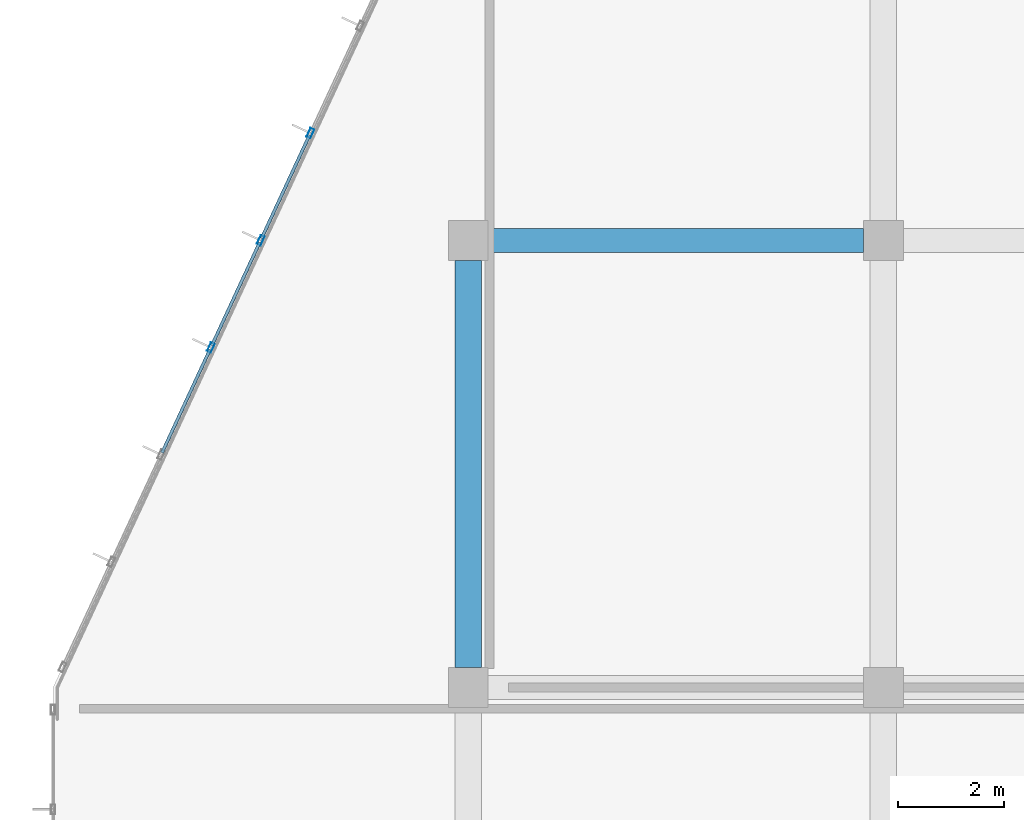
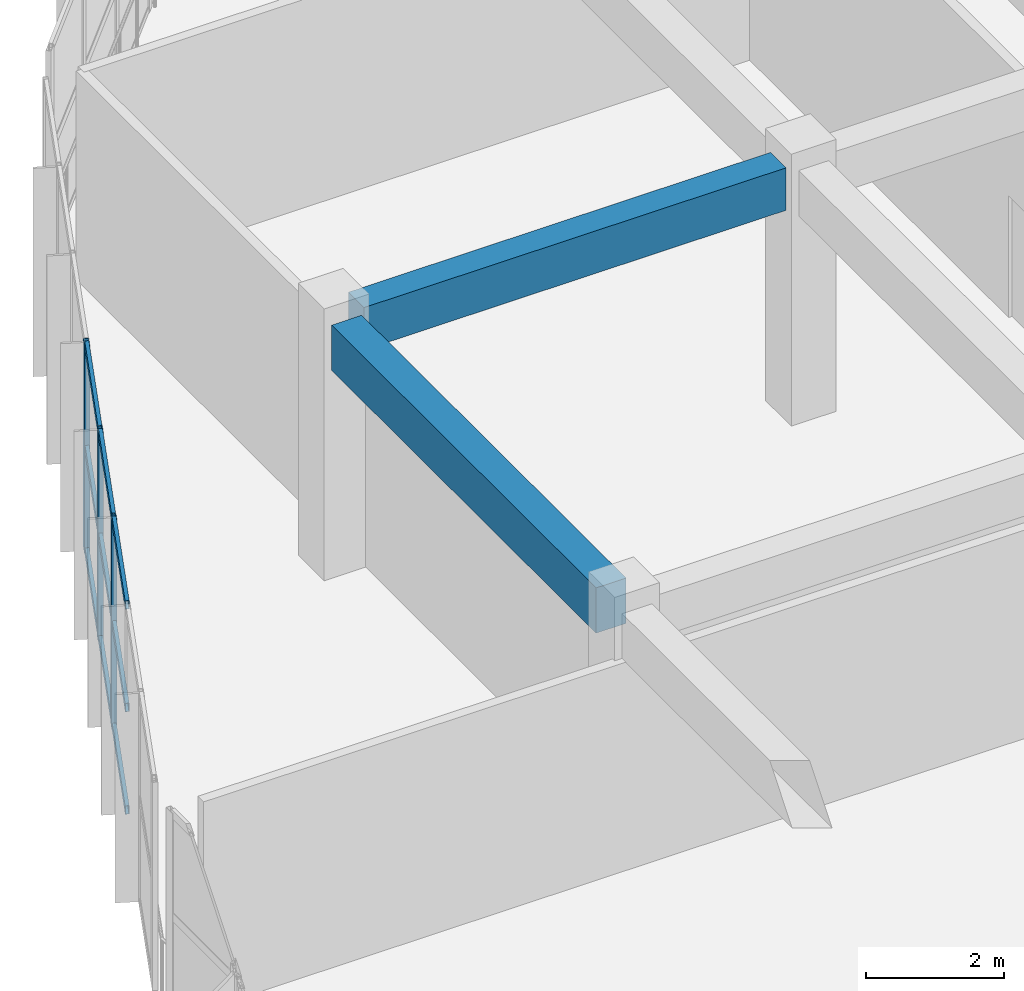
# One storey, part 25 of 175: 12 members, 2 beams, 1 element without a shape of its own.
"""IFC4 building model written with IfcOpenShell, lengths in metres."""

from ifc_helpers import new_model, si_unit, direction, frame, origin, origin_2d, place, context, subcontext, project, spatial, rectangle, hollow_rectangle, extrude, material, layer, layer_set, material_profile, profile_set, type_object, element, aggregate, save


model = new_model("IFC4")

# Units and contexts
model_context = context("Model", 3, precision=1e-05, world=origin(), true_north=direction((0.0, 1.0)))
body_context = subcontext(model_context, "Body", "Model", "MODEL_VIEW")
ifc_project = project(units=[si_unit("LENGTHUNIT", "METRE"), si_unit("AREAUNIT", "SQUARE_METRE"), si_unit("VOLUMEUNIT", "CUBIC_METRE"), si_unit("PLANEANGLEUNIT", "RADIAN"), si_unit("MASSUNIT", "GRAM", prefix="KILO")], contexts=[model_context])

# Site, building, storey
site_placement = place(None, origin())
site = spatial("IfcSite", under=ifc_project, at=site_placement, CompositionType="ELEMENT")
building_placement = place(site_placement, origin())
building = spatial("IfcBuilding", under=site, at=building_placement, Name="Zizhar Promenade General Hospital", CompositionType="ELEMENT")
storey_placement = place(building_placement, frame((0.0, 0.0, 4.800048828125)))
storey = spatial("IfcBuildingStorey", under=building, at=storey_placement, Name="L01", CompositionType="ELEMENT", Elevation=4.800048828125)

# Beams
ifc_material_1 = material(Name="Concrete C35/45", Category="concrete")
ifc_material_profile_1 = material_profile(ifc_material_1, rectangle(XDim=0.449951171875, YDim=0.75, at=origin_2d()))
ifc_profile_set_1 = profile_set([ifc_material_profile_1], Name="Concrete C35/45")
beam_type_1 = type_object("IfcBeamType", Name="BM-RC-450x750", PredefinedType="BEAM", material=ifc_profile_set_1)
beam_1_placement = place(storey_placement, frame((8.175048828125, 58.800048828125, 4.094970703125), z_axis=(1.0, 0.0, 0.0), x_axis=(0.0, 1.0, 0.0)))
element("IfcBeam", 1, at=beam_1_placement, inside=storey, type_object=beam_type_1, Name="Grid Beam X L01 (1-7)", PredefinedType="BEAM", context=body_context, shape_type="SweptSolid", body=[
    extrude(rectangle(XDim=0.449951171875, YDim=0.75, at=origin_2d()), origin(), (0.0, 0.0, 1.0), 7.050048828125),
])
ifc_material_2 = material(Name="Concrete C35/45", Category="concrete")
ifc_material_profile_2 = material_profile(ifc_material_2, rectangle(XDim=0.5, YDim=0.800048828125, at=origin_2d()))
ifc_profile_set_2 = profile_set([ifc_material_profile_2], Name="Concrete C35/45")
beam_type_2 = type_object("IfcBeamType", Name="BM-RC-500x800", PredefinedType="BEAM", material=ifc_profile_set_2)
beam_2_placement = place(storey_placement, frame((7.800048828125, 50.77490234375, 4.070068359375), z_axis=(0.0, 1.0, 0.0), x_axis=(-1.0, 0.0, 0.0)))
element("IfcBeam", 2, at=beam_2_placement, inside=storey, type_object=beam_type_2, Name="Grid Beam Y L01 (1-6)", PredefinedType="BEAM", context=body_context, shape_type="SweptSolid", body=[
    extrude(rectangle(XDim=0.5, YDim=0.800048828125, at=origin_2d()), origin(), (0.0, 0.0, 1.0), 7.650146484375),
])

# Curtain wall, members
ifc_material_3 = material(Name="Anodised aluminium 6063-T6 and low-E glass", Category="aluminium")
ifc_layer = layer(ifc_material_3, 0.159912109375)
ifc_layer_set = layer_set([ifc_layer], Name="Anodised aluminium 6063-T6 and low-E glass")
curtain_wall_type = type_object("IfcCurtainWallType", Name="CW-DT-MOD2", PredefinedType="NOTDEFINED", material=ifc_layer_set)
curtain_wall_placement = place(storey_placement, origin())
curtain_wall = element("IfcCurtainWall", 3, at=curtain_wall_placement, inside=storey, type_object=curtain_wall_type, Name="West Diagnostic Arm Glazed Curtain Wall L01-NW1", PredefinedType="NOTDEFINED")
ifc_material_4 = material(Name="Anodised aluminium 6063-T6", Category="aluminium")
ifc_material_profile_3 = material_profile(ifc_material_4, hollow_rectangle(XDim=0.080078125, YDim=0.179931640625, WallThickness=0.0048828125, at=origin_2d()))
ifc_profile_set_3 = profile_set([ifc_material_profile_3], Name="Anodised aluminium 6063-T6")
member_type_1 = type_object("IfcMemberType", Name="CWM-ALU-180x80", PredefinedType="MULLION", material=ifc_profile_set_3)
member_1_placement = place(storey_placement, frame((2.965087890625, 56.7861328125, 0.0), z_axis=(0.0, 0.0, 1.0), x_axis=(-0.907007278189, 0.421114945486, 0.0)))
member_1 = element("IfcMember", 4, at=member_1_placement, type_object=member_type_1, Name="CW-08 mullion 4", PredefinedType="MULLION", context=body_context, shape_type="SweptSolid", body=[
    extrude(hollow_rectangle(XDim=0.080078125, YDim=0.179931640625, WallThickness=0.0048828125, at=origin_2d()), origin(), (0.0, 0.0, 1.0), 3.679931640625),
])
member_2_placement = place(storey_placement, frame((3.89990234375, 58.800048828125, 0.0), z_axis=(0.0, 0.0, 1.0), x_axis=(-0.907007278189, 0.421114945486, 0.0)))
member_2 = element("IfcMember", 5, at=member_2_placement, type_object=member_type_1, Name="CW-08 mullion 5", PredefinedType="MULLION", context=body_context, shape_type="SweptSolid", body=[
    extrude(hollow_rectangle(XDim=0.080078125, YDim=0.179931640625, WallThickness=0.0048828125, at=origin_2d()), origin(), (0.0, 0.0, 1.0), 3.679931640625),
])
member_3_placement = place(storey_placement, frame((4.8349609375, 60.813720703125, 0.0), z_axis=(0.0, 0.0, 1.0), x_axis=(-0.907007278189, 0.421114945486, 0.0)))
member_3 = element("IfcMember", 6, at=member_3_placement, type_object=member_type_1, Name="CW-08 mullion 6", PredefinedType="MULLION", context=body_context, shape_type="SweptSolid", body=[
    extrude(hollow_rectangle(XDim=0.080078125, YDim=0.179931640625, WallThickness=0.0048828125, at=origin_2d()), origin(), (0.0, 0.0, 1.0), 3.679931640625),
])
ifc_material_5 = material(Name="Anodised aluminium 6063-T6", Category="aluminium")
ifc_material_profile_4 = material_profile(ifc_material_5, hollow_rectangle(XDim=0.06005859375, YDim=0.14990234375, WallThickness=0.00390625, at=origin_2d()))
ifc_profile_set_4 = profile_set([ifc_material_profile_4], Name="Anodised aluminium 6063-T6")
member_type_2 = type_object("IfcMemberType", Name="CWT-ALU-150x60", PredefinedType="USERDEFINED", material=ifc_profile_set_4)
member_4_placement = place(storey_placement, frame((2.046875, 54.80859375, 0.030029296875), z_axis=(0.421111306455, 0.907008967748, 0.0), x_axis=(-0.907008967748, 0.421111306455, 0.0)))
member_4 = element("IfcMember", 7, at=member_4_placement, type_object=member_type_2, Name="CW-08 transom 3.1", ObjectType="TRANSOM", PredefinedType="USERDEFINED", context=body_context, shape_type="SweptSolid", body=[
    extrude(hollow_rectangle(XDim=0.06005859375, YDim=0.14990234375, WallThickness=0.00390625, at=origin_2d()), origin(), (0.0, 0.0, 1.0), 2.140380859375),
])
member_5_placement = place(storey_placement, frame((2.046875, 54.80859375, 1.83984375), z_axis=(0.421111306455, 0.907008967748, 0.0), x_axis=(-0.907008967748, 0.421111306455, 0.0)))
member_5 = element("IfcMember", 8, at=member_5_placement, type_object=member_type_2, Name="CW-08 transom 3.2", ObjectType="TRANSOM", PredefinedType="USERDEFINED", context=body_context, shape_type="SweptSolid", body=[
    extrude(hollow_rectangle(XDim=0.06005859375, YDim=0.14990234375, WallThickness=0.00390625, at=origin_2d()), origin(), (0.0, 0.0, 1.0), 2.140380859375),
])
member_6_placement = place(storey_placement, frame((2.046875, 54.80859375, 3.64990234375), z_axis=(0.421111306455, 0.907008967748, 0.0), x_axis=(-0.907008967748, 0.421111306455, 0.0)))
member_6 = element("IfcMember", 9, at=member_6_placement, type_object=member_type_2, Name="CW-08 transom 3.3", ObjectType="TRANSOM", PredefinedType="USERDEFINED", context=body_context, shape_type="SweptSolid", body=[
    extrude(hollow_rectangle(XDim=0.06005859375, YDim=0.14990234375, WallThickness=0.00390625, at=origin_2d()), origin(), (0.0, 0.0, 1.0), 2.140380859375),
])
member_7_placement = place(storey_placement, frame((2.98193359375, 56.822509765625, 0.030029296875), z_axis=(0.421061030193, 0.907032308605, 0.0), x_axis=(-0.907032308605, 0.421061030193, 0.0)))
member_7 = element("IfcMember", 10, at=member_7_placement, type_object=member_type_2, Name="CW-08 transom 4.1", ObjectType="TRANSOM", PredefinedType="USERDEFINED", context=body_context, shape_type="SweptSolid", body=[
    extrude(hollow_rectangle(XDim=0.06005859375, YDim=0.14990234375, WallThickness=0.00390625, at=origin_2d()), origin(), (0.0, 0.0, 1.0), 2.14013671875),
])
member_8_placement = place(storey_placement, frame((2.98193359375, 56.822509765625, 1.83984375), z_axis=(0.421061030193, 0.907032308605, 0.0), x_axis=(-0.907032308605, 0.421061030193, 0.0)))
member_8 = element("IfcMember", 11, at=member_8_placement, type_object=member_type_2, Name="CW-08 transom 4.2", ObjectType="TRANSOM", PredefinedType="USERDEFINED", context=body_context, shape_type="SweptSolid", body=[
    extrude(hollow_rectangle(XDim=0.06005859375, YDim=0.14990234375, WallThickness=0.00390625, at=origin_2d()), origin(), (0.0, 0.0, 1.0), 2.14013671875),
])
member_9_placement = place(storey_placement, frame((2.98193359375, 56.822509765625, 3.64990234375), z_axis=(0.421061030193, 0.907032308605, 0.0), x_axis=(-0.907032308605, 0.421061030193, 0.0)))
member_9 = element("IfcMember", 12, at=member_9_placement, type_object=member_type_2, Name="CW-08 transom 4.3", ObjectType="TRANSOM", PredefinedType="USERDEFINED", context=body_context, shape_type="SweptSolid", body=[
    extrude(hollow_rectangle(XDim=0.06005859375, YDim=0.14990234375, WallThickness=0.00390625, at=origin_2d()), origin(), (0.0, 0.0, 1.0), 2.14013671875),
])
member_10_placement = place(storey_placement, frame((3.916748046875, 58.836181640625, 0.030029296875), z_axis=(0.421111306455, 0.907008967748, 0.0), x_axis=(-0.907008967748, 0.421111306455, 0.0)))
member_10 = element("IfcMember", 13, at=member_10_placement, type_object=member_type_2, Name="CW-08 transom 5.1", ObjectType="TRANSOM", PredefinedType="USERDEFINED", context=body_context, shape_type="SweptSolid", body=[
    extrude(hollow_rectangle(XDim=0.06005859375, YDim=0.14990234375, WallThickness=0.00390625, at=origin_2d()), origin(), (0.0, 0.0, 1.0), 2.140380859375),
])
member_11_placement = place(storey_placement, frame((3.916748046875, 58.836181640625, 1.83984375), z_axis=(0.421111306455, 0.907008967748, 0.0), x_axis=(-0.907008967748, 0.421111306455, 0.0)))
member_11 = element("IfcMember", 14, at=member_11_placement, type_object=member_type_2, Name="CW-08 transom 5.2", ObjectType="TRANSOM", PredefinedType="USERDEFINED", context=body_context, shape_type="SweptSolid", body=[
    extrude(hollow_rectangle(XDim=0.06005859375, YDim=0.14990234375, WallThickness=0.00390625, at=origin_2d()), origin(), (0.0, 0.0, 1.0), 2.140380859375),
])
member_12_placement = place(storey_placement, frame((3.916748046875, 58.836181640625, 3.64990234375), z_axis=(0.421111306455, 0.907008967748, 0.0), x_axis=(-0.907008967748, 0.421111306455, 0.0)))
member_12 = element("IfcMember", 15, at=member_12_placement, type_object=member_type_2, Name="CW-08 transom 5.3", ObjectType="TRANSOM", PredefinedType="USERDEFINED", context=body_context, shape_type="SweptSolid", body=[
    extrude(hollow_rectangle(XDim=0.06005859375, YDim=0.14990234375, WallThickness=0.00390625, at=origin_2d()), origin(), (0.0, 0.0, 1.0), 2.140380859375),
])
aggregate(curtain_wall, [member_1, member_2, member_3, member_4, member_5, member_6, member_7, member_8, member_9, member_10, member_11, member_12])

save(model, "model.ifc")
